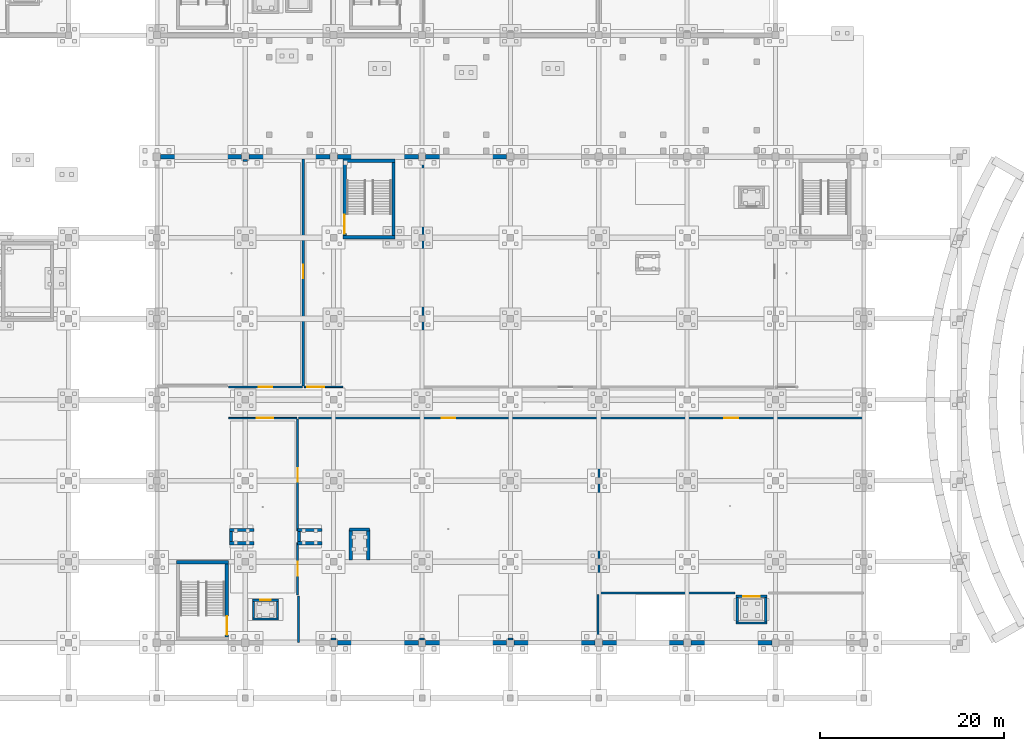
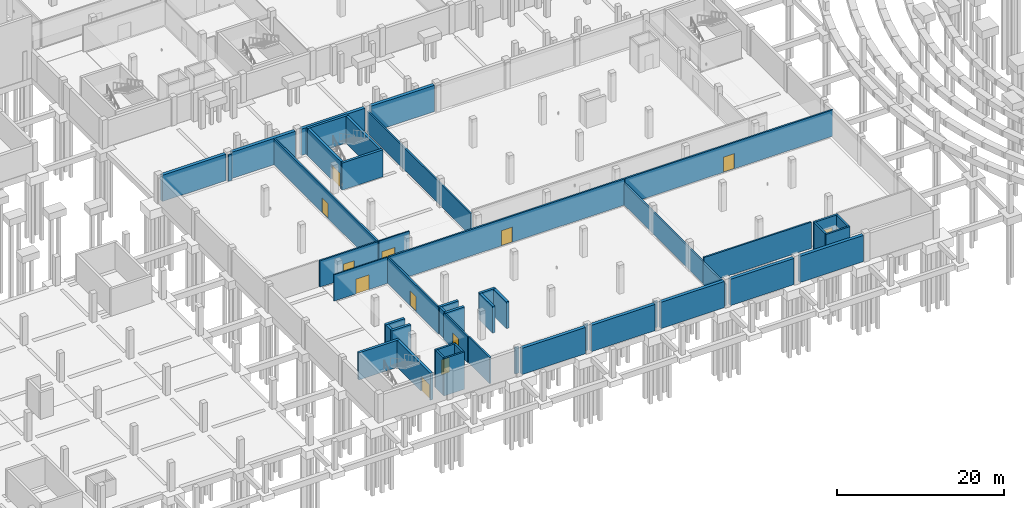
# One storey, part 13 of 31: 49 walls, 12 doors, 12 openings.
"""IFC4 building model written with IfcOpenShell, lengths in metres."""

from ifc_helpers import new_model, si_unit, direction, frame, frame_2d, origin, place, context, subcontext, project, spatial, rectangle, extrude, material, layer, layer_set, type_object, element, fill, save


model = new_model("IFC4")

# Units and contexts
model_context = context("Model", 3, precision=1e-05, world=origin(), true_north=direction((0.0, 1.0)))
body_context = subcontext(model_context, "Body", "Model", "MODEL_VIEW")
ifc_project = project(units=[si_unit("LENGTHUNIT", "METRE"), si_unit("AREAUNIT", "SQUARE_METRE"), si_unit("VOLUMEUNIT", "CUBIC_METRE"), si_unit("PLANEANGLEUNIT", "RADIAN"), si_unit("MASSUNIT", "GRAM", prefix="KILO")], contexts=[model_context])

# Site, building, storey
site_placement = place(None, origin())
site = spatial("IfcSite", under=ifc_project, at=site_placement, CompositionType="ELEMENT")
building_placement = place(site_placement, origin())
building = spatial("IfcBuilding", under=site, at=building_placement, Name="Chalmorin Arch Market", CompositionType="ELEMENT")
storey_placement = place(building_placement, frame((0.0, 0.0, -4.199951171875)))
storey = spatial("IfcBuildingStorey", under=building, at=storey_placement, Name="B1", CompositionType="ELEMENT", Elevation=-4.199951171875)

# Walls
ifc_material_1 = material(Name="Concrete C40/50", Category="concrete")
ifc_layer_1 = layer(ifc_material_1, 0.449951171875)
ifc_layer_set_1 = layer_set([ifc_layer_1], Name="Concrete C40/50")
wall_type_1 = type_object("IfcWallType", Name="BasementFloodwall-450", PredefinedType="SOLIDWALL", material=ifc_layer_set_1)
wall_1_placement = place(storey_placement, frame((67.60009765625, 6.0, 0.0), z_axis=(0.0, 0.0, 1.0), x_axis=(1.0, 0.0, 0.0)))
element("IfcWall", 1, at=wall_1_placement, inside=storey, type_object=wall_type_1, Name="BFW-450-003", PredefinedType="SOLIDWALL", context=body_context, shape_type="SweptSolid", body=[
    extrude(rectangle(XDim=8.7998046875, YDim=0.449951171875, at=frame_2d((4.39990234375, 0.0))), origin(), (0.0, 0.0, 1.0), 3.83984375),
])
for number, where, z_axis, x_axis, name in (
    (2, (77.199951171875, 6.0, 0.0), (0.0, 0.0, 1.0), (1.0, 0.0, 0.0), "BFW-450-004"),
    (3, (86.800048828125, 6.0, 0.0), (0.0, 0.0, 1.0), (1.0, 0.0, 0.0), "BFW-450-005"),
    (4, (96.39990234375, 6.0, 0.0), (0.0, 0.0, 1.0), (1.0, 0.0, 0.0), "BFW-450-006"),
    (5, (106.0, 6.0, 0.0), (0.0, 0.0, 1.0), (1.0, 0.0, 0.0), "BFW-450-007"),
    (6, (86.0, 58.800048828125, 0.0), (0.0, 0.0, 1.0), (-1.0, 0.0, 0.0), "BFW-450-019"),
):
    element("IfcWall", number, at=place(storey_placement, frame(where, z_axis=z_axis, x_axis=x_axis)), inside=storey, type_object=wall_type_1, Name=name, PredefinedType="SOLIDWALL", context=body_context, shape_type="SweptSolid", body=[
        extrude(rectangle(XDim=8.800048828125, YDim=0.449951171875, at=frame_2d((4.39990234375, 0.0))), origin(), (0.0, 0.0, 1.0), 3.83984375),
    ])
wall_2_placement = place(storey_placement, frame((76.39990234375, 58.800048828125, 0.0), z_axis=(0.0, 0.0, 1.0), x_axis=(-1.0, 0.0, 0.0)))
element("IfcWall", 7, at=wall_2_placement, inside=storey, type_object=wall_type_1, Name="BFW-450-020", PredefinedType="SOLIDWALL", context=body_context, shape_type="SweptSolid", body=[
    extrude(rectangle(XDim=8.7998046875, YDim=0.449951171875, at=frame_2d((4.39990234375, 0.0))), origin(), (0.0, 0.0, 1.0), 3.83984375),
])
for number, where, z_axis, x_axis, name in (
    (8, (66.800048828125, 58.800048828125, 0.0), (0.0, 0.0, 1.0), (-1.0, 0.0, 0.0), "BFW-450-021"),
    (9, (57.199951171875, 58.800048828125, 0.0), (0.0, 0.0, 1.0), (-1.0, 0.0, 0.0), "BFW-450-022"),
):
    element("IfcWall", number, at=place(storey_placement, frame(where, z_axis=z_axis, x_axis=x_axis)), inside=storey, type_object=wall_type_1, Name=name, PredefinedType="SOLIDWALL", context=body_context, shape_type="SweptSolid", body=[
        extrude(rectangle(XDim=8.800048828125, YDim=0.449951171875, at=frame_2d((4.39990234375, 0.0))), origin(), (0.0, 0.0, 1.0), 3.83984375),
    ])

# Wall, opening, door
ifc_material_2 = material(Name="Galvanised Steel", Category="steel")
ifc_layer_2 = layer(ifc_material_2, 0.219970703125)
ifc_layer_set_2 = layer_set([ifc_layer_2], Name="Galvanised Steel")
wall_type_2 = type_object("IfcWallType", Name="ColdStoreInsulatedWall-220", PredefinedType="PARTITIONING", material=ifc_layer_set_2)
wall_3_placement = place(storey_placement, frame((63.300048828125, 11.199951171875, 0.0), z_axis=(0.0, 0.0, 1.0), x_axis=(0.0, 1.0, 0.0)))
wall_3 = element("IfcWall", 10, at=wall_3_placement, inside=storey, type_object=wall_type_2, Name="CIW-220-348", PredefinedType="PARTITIONING", context=body_context, shape_type="SweptSolid", body=[
    extrude(rectangle(XDim=5.695068359375, YDim=0.219970703125, at=frame_2d((2.84765625, 0.0))), origin(), (0.0, 0.0, 1.0), 3.83984375),
])
opening_1_placement = place(wall_3_placement, frame((2.097900390625, 0.0, 0.0)))
opening_1 = element("IfcOpeningElement", 11, at=opening_1_placement, cuts=wall_3, Name="Opening ID-089", PredefinedType="OPENING", context=body_context, shape_type="SweptSolid", body=[
    extrude(rectangle(XDim=1.5, YDim=2.199951171875, at=frame_2d((0.75, 1.10009765625))), frame((0.0, 0.119873046875, 0.0), z_axis=(0.0, -1.0, 0.0), x_axis=(1.0, 0.0, 0.0)), (0.0, 0.0, 1.0), 0.239990234375),
])
ifc_material_3 = material(Name="Stainless Steel 316", Category="steel")
door_type_1 = type_object("IfcDoorType", Name="ColdStoreSlidingDoor-1500x2200", OperationType="SLIDING_TO_RIGHT", PredefinedType="DOOR", material=ifc_material_3)
door_1_placement = place(opening_1_placement, origin())
door_1 = element("IfcDoor", 12, at=door_1_placement, inside=storey, type_object=door_type_1, Name="ID-089", OperationType="SLIDING_TO_RIGHT", OverallHeight=2.199951171875, OverallWidth=1.5, PredefinedType="DOOR", context=body_context, shape_type="SweptSolid", body=[
    extrude(rectangle(XDim=1.5, YDim=2.199951171875, at=frame_2d((0.75, 1.10009765625))), frame((0.0, 0.02490234375, 0.0), z_axis=(0.0, -1.0, 0.0), x_axis=(1.0, 0.0, 0.0)), (0.0, 0.0, 1.0), 0.050048828125),
])
fill(opening_1, door_1)

wall_4_placement = place(storey_placement, frame((63.300048828125, 18.155029296875, 0.0), z_axis=(0.0, 0.0, 1.0), x_axis=(0.0, 1.0, 0.0)))
wall_4 = element("IfcWall", 13, at=wall_4_placement, inside=storey, type_object=wall_type_2, Name="CIW-220-349", PredefinedType="PARTITIONING", context=body_context, shape_type="SweptSolid", body=[
    extrude(rectangle(XDim=12.14501953125, YDim=0.219970703125, at=frame_2d((6.072509765625, 0.0))), origin(), (0.0, 0.0, 1.0), 3.83984375),
])
opening_2_placement = place(wall_4_placement, frame((5.322998046875, 0.0, 0.0)))
opening_2 = element("IfcOpeningElement", 14, at=opening_2_placement, cuts=wall_4, Name="Opening ID-090", PredefinedType="OPENING", context=body_context, shape_type="SweptSolid", body=[
    extrude(rectangle(XDim=1.5, YDim=2.199951171875, at=frame_2d((0.75, 1.10009765625))), frame((0.0, 0.119873046875, 0.0), z_axis=(0.0, -1.0, 0.0), x_axis=(1.0, 0.0, 0.0)), (0.0, 0.0, 1.0), 0.239990234375),
])
door_2_placement = place(opening_2_placement, origin())
door_2 = element("IfcDoor", 15, at=door_2_placement, inside=storey, type_object=door_type_1, Name="ID-090", OperationType="SLIDING_TO_RIGHT", OverallHeight=2.199951171875, OverallWidth=1.5, PredefinedType="DOOR", context=body_context, shape_type="SweptSolid", body=[
    extrude(rectangle(XDim=1.5, YDim=2.199951171875, at=frame_2d((0.75, 1.10009765625))), frame((0.0, 0.02490234375, 0.0), z_axis=(0.0, -1.0, 0.0), x_axis=(1.0, 0.0, 0.0)), (0.0, 0.0, 1.0), 0.050048828125),
])
fill(opening_2, door_2)

# Wall
wall_5_placement = place(storey_placement, frame((96.0, 11.39990234375, 0.0), z_axis=(0.0, 0.0, 1.0), x_axis=(0.0, 1.0, 0.0)))
element("IfcWall", 16, at=wall_5_placement, inside=storey, type_object=wall_type_2, Name="CIW-220-351", PredefinedType="PARTITIONING", context=body_context, shape_type="SweptSolid", body=[
    extrude(rectangle(XDim=18.900146484375, YDim=0.219970703125, at=frame_2d((9.4501953125, 0.0))), origin(), (0.0, 0.0, 1.0), 3.198974609375),
])

# Wall, opening, door
wall_6_placement = place(storey_placement, frame((63.39990234375, 30.39990234375, 0.0), z_axis=(0.0, 0.0, 1.0), x_axis=(1.0, 0.0, 0.0)))
wall_6 = element("IfcWall", 17, at=wall_6_placement, inside=storey, type_object=wall_type_2, Name="CIW-220-352", PredefinedType="PARTITIONING", context=body_context, shape_type="SweptSolid", body=[
    extrude(rectangle(XDim=32.550048828125, YDim=0.219970703125, at=frame_2d((16.27490234375, 0.0))), origin(), (0.0, 0.0, 1.0), 3.83984375),
])
opening_3_placement = place(wall_6_placement, frame((15.52490234375, 0.0, 0.0)))
opening_3 = element("IfcOpeningElement", 18, at=opening_3_placement, cuts=wall_6, Name="Opening ID-092", PredefinedType="OPENING", context=body_context, shape_type="SweptSolid", body=[
    extrude(rectangle(XDim=1.5, YDim=2.199951171875, at=frame_2d((0.75, 1.10009765625))), frame((0.0, 0.119873046875, 0.0), z_axis=(0.0, -1.0, 0.0), x_axis=(1.0, 0.0, 0.0)), (0.0, 0.0, 1.0), 0.239990234375),
])
door_3_placement = place(opening_3_placement, origin())
door_3 = element("IfcDoor", 19, at=door_3_placement, inside=storey, type_object=door_type_1, Name="ID-092", OperationType="SLIDING_TO_RIGHT", OverallHeight=2.199951171875, OverallWidth=1.5, PredefinedType="DOOR", context=body_context, shape_type="SweptSolid", body=[
    extrude(rectangle(XDim=1.5, YDim=2.199951171875, at=frame_2d((0.75, 1.10009765625))), frame((0.0, 0.02490234375, 0.0), z_axis=(0.0, -1.0, 0.0), x_axis=(1.0, 0.0, 0.0)), (0.0, 0.0, 1.0), 0.050048828125),
])
fill(opening_3, door_3)

wall_7_placement = place(storey_placement, frame((96.030029296875, 30.39990234375, 0.0), z_axis=(0.0, 0.0, 1.0), x_axis=(1.0, 0.0, 0.0)))
wall_7 = element("IfcWall", 20, at=wall_7_placement, inside=storey, type_object=wall_type_2, Name="CIW-220-353", PredefinedType="PARTITIONING", context=body_context, shape_type="SweptSolid", body=[
    extrude(rectangle(XDim=28.719970703125, YDim=0.219970703125, at=frame_2d((14.35986328125, 0.0))), origin(), (0.0, 0.0, 1.0), 3.83984375),
])
opening_4_placement = place(wall_7_placement, frame((13.610107421875, 0.0, 0.0)))
opening_4 = element("IfcOpeningElement", 21, at=opening_4_placement, cuts=wall_7, Name="Opening ID-093", PredefinedType="OPENING", context=body_context, shape_type="SweptSolid", body=[
    extrude(rectangle(XDim=1.5, YDim=2.199951171875, at=frame_2d((0.75, 1.10009765625))), frame((0.0, 0.119873046875, 0.0), z_axis=(0.0, -1.0, 0.0), x_axis=(1.0, 0.0, 0.0)), (0.0, 0.0, 1.0), 0.239990234375),
])
door_4_placement = place(opening_4_placement, origin())
door_4 = element("IfcDoor", 22, at=door_4_placement, inside=storey, type_object=door_type_1, Name="ID-093", OperationType="SLIDING_TO_RIGHT", OverallHeight=2.199951171875, OverallWidth=1.5, PredefinedType="DOOR", context=body_context, shape_type="SweptSolid", body=[
    extrude(rectangle(XDim=1.5, YDim=2.199951171875, at=frame_2d((0.75, 1.10009765625))), frame((0.0, 0.02490234375, 0.0), z_axis=(0.0, -1.0, 0.0), x_axis=(1.0, 0.0, 0.0)), (0.0, 0.0, 1.0), 0.050048828125),
])
fill(opening_4, door_4)

wall_8_placement = place(storey_placement, frame((55.800048828125, 33.800048828125, 0.0), z_axis=(0.0, 0.0, 1.0), x_axis=(1.0, 0.0, 0.0)))
wall_8 = element("IfcWall", 23, at=wall_8_placement, inside=storey, type_object=wall_type_2, Name="CIW-220-356", PredefinedType="PARTITIONING", context=body_context, shape_type="SweptSolid", body=[
    extrude(rectangle(XDim=8.0, YDim=0.219970703125, at=frame_2d((4.0, 0.0))), origin(), (0.0, 0.0, 1.0), 3.83984375),
])
opening_5_placement = place(wall_8_placement, frame((3.25, 0.0, 0.0)))
opening_5 = element("IfcOpeningElement", 24, at=opening_5_placement, cuts=wall_8, Name="Opening ID-096", PredefinedType="OPENING", context=body_context, shape_type="SweptSolid", body=[
    extrude(rectangle(XDim=1.5, YDim=2.199951171875, at=frame_2d((0.75, 1.10009765625))), frame((0.0, 0.119873046875, 0.0), z_axis=(0.0, -1.0, 0.0), x_axis=(1.0, 0.0, 0.0)), (0.0, 0.0, 1.0), 0.239990234375),
])
door_5_placement = place(opening_5_placement, origin())
door_5 = element("IfcDoor", 25, at=door_5_placement, inside=storey, type_object=door_type_1, Name="ID-096", OperationType="SLIDING_TO_RIGHT", OverallHeight=2.199951171875, OverallWidth=1.5, PredefinedType="DOOR", context=body_context, shape_type="SweptSolid", body=[
    extrude(rectangle(XDim=1.5, YDim=2.199951171875, at=frame_2d((0.75, 1.10009765625))), frame((0.0, 0.02490234375, 0.0), z_axis=(0.0, -1.0, 0.0), x_axis=(1.0, 0.0, 0.0)), (0.0, 0.0, 1.0), 0.050048828125),
])
fill(opening_5, door_5)

wall_9_placement = place(storey_placement, frame((63.89990234375, 33.89990234375, 0.0), z_axis=(0.0, 0.0, 1.0), x_axis=(0.0, 1.0, 0.0)))
wall_9 = element("IfcWall", 26, at=wall_9_placement, inside=storey, type_object=wall_type_2, Name="CIW-220-359", PredefinedType="PARTITIONING", context=body_context, shape_type="SweptSolid", body=[
    extrude(rectangle(XDim=24.85009765625, YDim=0.219970703125, at=frame_2d((12.425048828125, 0.0))), origin(), (0.0, 0.0, 1.0), 3.83984375),
])
opening_6_placement = place(wall_9_placement, frame((11.675048828125, 0.0, 0.0)))
opening_6 = element("IfcOpeningElement", 27, at=opening_6_placement, cuts=wall_9, Name="Opening ID-099", PredefinedType="OPENING", context=body_context, shape_type="SweptSolid", body=[
    extrude(rectangle(XDim=1.5, YDim=2.199951171875, at=frame_2d((0.75, 1.10009765625))), frame((0.0, 0.119873046875, 0.0), z_axis=(0.0, -1.0, 0.0), x_axis=(1.0, 0.0, 0.0)), (0.0, 0.0, 1.0), 0.239990234375),
])
door_6_placement = place(opening_6_placement, origin())
door_6 = element("IfcDoor", 28, at=door_6_placement, inside=storey, type_object=door_type_1, Name="ID-099", OperationType="SLIDING_TO_RIGHT", OverallHeight=2.199951171875, OverallWidth=1.5, PredefinedType="DOOR", context=body_context, shape_type="SweptSolid", body=[
    extrude(rectangle(XDim=1.5, YDim=2.199951171875, at=frame_2d((0.75, 1.10009765625))), frame((0.0, 0.02490234375, 0.0), z_axis=(0.0, -1.0, 0.0), x_axis=(1.0, 0.0, 0.0)), (0.0, 0.0, 1.0), 0.050048828125),
])
fill(opening_6, door_6)

# Walls
for number, where, z_axis, x_axis, name in (
    (29, (66.93994140625, 6.39990234375, 0.0), (0.0, 0.0, 1.0), (1.0, 0.0, 0.0), "CIW-220-376"),
    (30, (76.5400390625, 6.39990234375, 0.0), (0.0, 0.0, 1.0), (1.0, 0.0, 0.0), "CIW-220-377"),
    (31, (86.139892578125, 6.39990234375, 0.0), (0.0, 0.0, 1.0), (1.0, 0.0, 0.0), "CIW-220-378"),
):
    element("IfcWall", number, at=place(storey_placement, frame(where, z_axis=z_axis, x_axis=x_axis)), inside=storey, type_object=wall_type_2, Name=name, PredefinedType="PARTITIONING", context=body_context, shape_type="SweptSolid", body=[
        extrude(rectangle(XDim=0.52001953125, YDim=0.219970703125, at=frame_2d((0.260009765625, 0.0))), origin(), (0.0, 0.0, 1.0), 3.83984375),
    ])
wall_10_placement = place(storey_placement, frame((63.39990234375, 6.050048828125, 0.0), z_axis=(0.0, 0.0, 1.0), x_axis=(0.0, 1.0, 0.0)))
element("IfcWall", 32, at=wall_10_placement, inside=storey, type_object=wall_type_2, Name="CIW-220-379", PredefinedType="PARTITIONING", context=body_context, shape_type="SweptSolid", body=[
    extrude(rectangle(XDim=5.010009765625, YDim=0.219970703125, at=frame_2d((2.5048828125, 0.0))), origin(), (0.0, 0.0, 1.0), 3.83984375),
])
wall_11_placement = place(storey_placement, frame((95.89990234375, 6.050048828125, 0.0), z_axis=(0.0, 0.0, 1.0), x_axis=(0.0, 1.0, 0.0)))
element("IfcWall", 33, at=wall_11_placement, inside=storey, type_object=wall_type_2, Name="CIW-220-380", PredefinedType="PARTITIONING", context=body_context, shape_type="SweptSolid", body=[
    extrude(rectangle(XDim=5.2099609375, YDim=0.219970703125, at=frame_2d((2.60498046875, 0.0))), origin(), (0.0, 0.0, 1.0), 3.198974609375),
])
wall_12_placement = place(storey_placement, frame((95.949951171875, 11.39990234375, 0.0), z_axis=(0.0, 0.0, 1.0), x_axis=(1.0, 0.0, 0.0)))
element("IfcWall", 34, at=wall_12_placement, inside=storey, type_object=wall_type_2, Name="CIW-220-381", PredefinedType="PARTITIONING", context=body_context, shape_type="SweptSolid", body=[
    extrude(rectangle(XDim=14.8349609375, YDim=0.219970703125, at=frame_2d((7.41748046875, 0.0))), origin(), (0.0, 0.0, 1.0), 3.83984375),
])
wall_13_placement = place(storey_placement, frame((57.340087890625, 58.39990234375, 0.0), z_axis=(0.0, 0.0, 1.0), x_axis=(1.0, 0.0, 0.0)))
element("IfcWall", 35, at=wall_13_placement, inside=storey, type_object=wall_type_2, Name="CIW-220-384", PredefinedType="PARTITIONING", context=body_context, shape_type="SweptSolid", body=[
    extrude(rectangle(XDim=0.52001953125, YDim=0.219970703125, at=frame_2d((0.260009765625, 0.0))), origin(), (0.0, 0.0, 1.0), 3.83984375),
])
wall_14_placement = place(storey_placement, frame((76.89990234375, 34.0400390625, 0.0), z_axis=(0.0, 0.0, 1.0), x_axis=(0.0, 1.0, 0.0)))
element("IfcWall", 36, at=wall_14_placement, inside=storey, type_object=wall_type_2, Name="CIW-220-388", PredefinedType="PARTITIONING", context=body_context, shape_type="SweptSolid", body=[
    extrude(rectangle(XDim=24.7099609375, YDim=0.219970703125, at=frame_2d((12.35498046875, 0.0))), origin(), (0.0, 0.0, 1.0), 3.198974609375),
])
ifc_layer_3 = layer(ifc_material_1, 0.35009765625)
ifc_layer_set_3 = layer_set([ifc_layer_3], Name="Concrete C40/50")
wall_type_3 = type_object("IfcWallType", Name="CoreShearWall-350", PredefinedType="SHEAR", material=ifc_layer_set_3)
wall_15_placement = place(storey_placement, frame((50.125, 14.75, 0.0), z_axis=(0.0, 0.0, 1.0), x_axis=(1.0, 0.0, 0.0)))
element("IfcWall", 37, at=wall_15_placement, inside=storey, type_object=wall_type_3, Name="CSW-350-034", PredefinedType="SHEAR", context=body_context, shape_type="SweptSolid", body=[
    extrude(rectangle(XDim=5.64990234375, YDim=0.35009765625, at=frame_2d((2.824951171875, 0.0))), origin(), (0.0, 0.0, 1.0), 3.949951171875),
])

# Wall, opening, door
wall_16_placement = place(storey_placement, frame((55.60009765625, 14.574951171875, 0.0), z_axis=(0.0, 0.0, 1.0), x_axis=(0.0, -1.0, 0.0)))
wall_16 = element("IfcWall", 38, at=wall_16_placement, inside=storey, type_object=wall_type_3, Name="CSW-350-036", PredefinedType="SHEAR", context=body_context, shape_type="SweptSolid", body=[
    extrude(rectangle(XDim=7.949951171875, YDim=0.35009765625, at=frame_2d((3.97509765625, 0.0))), origin(), (0.0, 0.0, 1.0), 3.949951171875),
])
opening_7_placement = place(wall_16_placement, frame((5.679931640625, 0.0, 0.0)))
opening_7 = element("IfcOpeningElement", 39, at=opening_7_placement, cuts=wall_16, Name="Opening FD-SC3-B1", PredefinedType="OPENING", context=body_context, shape_type="SweptSolid", body=[
    extrude(rectangle(XDim=2.050048828125, YDim=2.14990234375, at=frame_2d((1.02490234375, 1.074951171875))), frame((0.0, 0.18505859375, 0.0), z_axis=(0.0, -1.0, 0.0), x_axis=(1.0, 0.0, 0.0)), (0.0, 0.0, 1.0), 0.3701171875),
])
door_type_2 = type_object("IfcDoorType", Name="DoubleFireExitDoor-2050x2150", OperationType="DOUBLE_DOOR_SINGLE_SWING", PredefinedType="DOOR", material=ifc_material_2)
door_7_placement = place(opening_7_placement, origin())
door_7 = element("IfcDoor", 40, at=door_7_placement, inside=storey, type_object=door_type_2, Name="FD-SC3-B1", OperationType="DOUBLE_DOOR_SINGLE_SWING", OverallHeight=2.14990234375, OverallWidth=2.050048828125, PredefinedType="DOOR", context=body_context, shape_type="SweptSolid", body=[
    extrude(rectangle(XDim=2.050048828125, YDim=2.14990234375, at=frame_2d((1.02490234375, 1.074951171875))), frame((0.0, 0.02490234375, 0.0), z_axis=(0.0, -1.0, 0.0), x_axis=(1.0, 0.0, 0.0)), (0.0, 0.0, 1.0), 0.050048828125),
])
fill(opening_7, door_7)

# Walls
for number, where, z_axis, x_axis, name in (
    (41, (73.875, 50.050048828125, 0.0), (0.0, 0.0, 1.0), (-1.0, 0.0, 0.0), "CSW-350-125"),
    (42, (68.22509765625, 58.35009765625, 0.0), (0.0, 0.0, 1.0), (1.0, 0.0, 0.0), "CSW-350-126"),
):
    element("IfcWall", number, at=place(storey_placement, frame(where, z_axis=z_axis, x_axis=x_axis)), inside=storey, type_object=wall_type_3, Name=name, PredefinedType="SHEAR", context=body_context, shape_type="SweptSolid", body=[
        extrude(rectangle(XDim=5.64990234375, YDim=0.35009765625, at=frame_2d((2.824951171875, 0.0))), origin(), (0.0, 0.0, 1.0), 3.949951171875),
    ])

# Wall, opening, door
wall_17_placement = place(storey_placement, frame((68.39990234375, 50.22509765625, 0.0), z_axis=(0.0, 0.0, 1.0), x_axis=(0.0, 1.0, 0.0)))
wall_17 = element("IfcWall", 43, at=wall_17_placement, inside=storey, type_object=wall_type_3, Name="CSW-350-127", PredefinedType="SHEAR", context=body_context, shape_type="SweptSolid", body=[
    extrude(rectangle(XDim=7.949951171875, YDim=0.35009765625, at=frame_2d((3.97509765625, 0.0))), origin(), (0.0, 0.0, 1.0), 3.949951171875),
])
opening_8_placement = place(wall_17_placement, frame((0.219970703125, 0.0, 0.0)))
opening_8 = element("IfcOpeningElement", 44, at=opening_8_placement, cuts=wall_17, Name="Opening FD-SC8-B1", PredefinedType="OPENING", context=body_context, shape_type="SweptSolid", body=[
    extrude(rectangle(XDim=2.050048828125, YDim=2.14990234375, at=frame_2d((1.02490234375, 1.074951171875))), frame((0.0, 0.18505859375, 0.0), z_axis=(0.0, -1.0, 0.0), x_axis=(1.0, 0.0, 0.0)), (0.0, 0.0, 1.0), 0.3701171875),
])
door_8_placement = place(opening_8_placement, origin())
door_8 = element("IfcDoor", 45, at=door_8_placement, inside=storey, type_object=door_type_2, Name="FD-SC8-B1", OperationType="DOUBLE_DOOR_SINGLE_SWING", OverallHeight=2.14990234375, OverallWidth=2.050048828125, PredefinedType="DOOR", context=body_context, shape_type="SweptSolid", body=[
    extrude(rectangle(XDim=2.050048828125, YDim=2.14990234375, at=frame_2d((1.02490234375, 1.074951171875))), frame((0.0, 0.02490234375, 0.0), z_axis=(0.0, -1.0, 0.0), x_axis=(1.0, 0.0, 0.0)), (0.0, 0.0, 1.0), 0.050048828125),
])
fill(opening_8, door_8)

# Walls
wall_18_placement = place(storey_placement, frame((73.699951171875, 58.175048828125, 0.0), z_axis=(0.0, 0.0, 1.0), x_axis=(0.0, -1.0, 0.0)))
element("IfcWall", 46, at=wall_18_placement, inside=storey, type_object=wall_type_3, Name="CSW-350-128", PredefinedType="SHEAR", context=body_context, shape_type="SweptSolid", body=[
    extrude(rectangle(XDim=7.949951171875, YDim=0.35009765625, at=frame_2d((3.97509765625, 0.0))), origin(), (0.0, 0.0, 1.0), 3.949951171875),
])
for number, where, z_axis, x_axis, name in (
    (47, (55.875, 16.800048828125, 0.0), (0.0, 0.0, 1.0), (1.0, 0.0, 0.0), "CSW-350-141"),
    (48, (55.875, 18.25, 0.0), (0.0, 0.0, 1.0), (1.0, 0.0, 0.0), "CSW-350-142"),
):
    element("IfcWall", number, at=place(storey_placement, frame(where, z_axis=z_axis, x_axis=x_axis)), inside=storey, type_object=wall_type_3, Name=name, PredefinedType="SHEAR", context=body_context, shape_type="SweptSolid", body=[
        extrude(rectangle(XDim=2.669921875, YDim=0.35009765625, at=frame_2d((1.3349609375, 0.0))), origin(), (0.0, 0.0, 1.0), 3.919921875),
    ])
wall_19_placement = place(storey_placement, frame((56.050048828125, 16.97509765625, 0.0), z_axis=(0.0, 0.0, 1.0), x_axis=(0.0, 1.0, 0.0)))
element("IfcWall", 49, at=wall_19_placement, inside=storey, type_object=wall_type_3, Name="CSW-350-143", PredefinedType="SHEAR", context=body_context, shape_type="SweptSolid", body=[
    extrude(rectangle(XDim=1.099853515625, YDim=0.35009765625, at=frame_2d((0.5498046875, 0.0))), origin(), (0.0, 0.0, 1.0), 3.919921875),
])
for number, where, z_axis, x_axis, name in (
    (50, (63.27490234375, 16.800048828125, 0.0), (0.0, 0.0, 1.0), (1.0, 0.0, 0.0), "CSW-350-153"),
    (51, (63.27490234375, 18.25, 0.0), (0.0, 0.0, 1.0), (1.0, 0.0, 0.0), "CSW-350-154"),
):
    element("IfcWall", number, at=place(storey_placement, frame(where, z_axis=z_axis, x_axis=x_axis)), inside=storey, type_object=wall_type_3, Name=name, PredefinedType="SHEAR", context=body_context, shape_type="SweptSolid", body=[
        extrude(rectangle(XDim=2.670166015625, YDim=0.35009765625, at=frame_2d((1.3349609375, 0.0))), origin(), (0.0, 0.0, 1.0), 3.919921875),
    ])
wall_20_placement = place(storey_placement, frame((63.449951171875, 16.97509765625, 0.0), z_axis=(0.0, 0.0, 1.0), x_axis=(0.0, 1.0, 0.0)))
element("IfcWall", 52, at=wall_20_placement, inside=storey, type_object=wall_type_3, Name="CSW-350-155", PredefinedType="SHEAR", context=body_context, shape_type="SweptSolid", body=[
    extrude(rectangle(XDim=1.099853515625, YDim=0.35009765625, at=frame_2d((0.5498046875, 0.0))), origin(), (0.0, 0.0, 1.0), 3.919921875),
])
wall_21_placement = place(storey_placement, frame((68.89990234375, 18.300048828125, 0.0), z_axis=(0.0, 0.0, 1.0), x_axis=(1.0, 0.0, 0.0)))
element("IfcWall", 53, at=wall_21_placement, inside=storey, type_object=wall_type_3, Name="CSW-350-162", PredefinedType="SHEAR", context=body_context, shape_type="SweptSolid", body=[
    extrude(rectangle(XDim=2.2001953125, YDim=0.35009765625, at=frame_2d((1.10009765625, 0.0))), origin(), (0.0, 0.0, 1.0), 3.919921875),
])
for number, where, z_axis, x_axis, name in (
    (54, (69.050048828125, 15.0, 0.0), (0.0, 0.0, 1.0), (0.0, 1.0, 0.0), "CSW-350-163"),
    (55, (70.949951171875, 15.0, 0.0), (0.0, 0.0, 1.0), (0.0, 1.0, 0.0), "CSW-350-164"),
):
    element("IfcWall", number, at=place(storey_placement, frame(where, z_axis=z_axis, x_axis=x_axis)), inside=storey, type_object=wall_type_3, Name=name, PredefinedType="SHEAR", context=body_context, shape_type="SweptSolid", body=[
        extrude(rectangle(XDim=3.300048828125, YDim=0.35009765625, at=frame_2d((1.64990234375, 0.0))), origin(), (0.0, 0.0, 1.0), 3.919921875),
    ])

# Wall, opening, door
ifc_material_4 = material(Name="Gypsum Board Partition")
ifc_layer_4 = layer(ifc_material_4, 0.159912109375)
ifc_layer_set_4 = layer_set([ifc_layer_4], Name="Gypsum Board Partition")
wall_type_4 = type_object("IfcWallType", Name="CorridorRatedPartition-160", PredefinedType="PARTITIONING", material=ifc_layer_set_4)
wall_22_placement = place(storey_placement, frame((55.800048828125, 30.39990234375, 0.0), z_axis=(0.0, 0.0, 1.0), x_axis=(1.0, 0.0, 0.0)))
wall_22 = element("IfcWall", 56, at=wall_22_placement, inside=storey, type_object=wall_type_4, Name="CRP-160-350", PredefinedType="PARTITIONING", context=body_context, shape_type="SweptSolid", body=[
    extrude(rectangle(XDim=7.39990234375, YDim=0.159912109375, at=frame_2d((3.699951171875, 0.0))), origin(), (0.0, 0.0, 1.0), 3.83984375),
])
opening_9_placement = place(wall_22_placement, frame((3.0439453125, 0.0, 0.0)))
opening_9 = element("IfcOpeningElement", 57, at=opening_9_placement, cuts=wall_22, Name="Opening ID-091", PredefinedType="OPENING", context=body_context, shape_type="SweptSolid", body=[
    extrude(rectangle(XDim=1.800048828125, YDim=2.14990234375, at=frame_2d((0.89990234375, 1.074951171875))), frame((0.0, 0.08984375, 0.0), z_axis=(0.0, -1.0, 0.0), x_axis=(1.0, 0.0, 0.0)), (0.0, 0.0, 1.0), 0.179931640625),
])
door_type_3 = type_object("IfcDoorType", Name="CorridorFireDoubleDoor-1800x2150", OperationType="DOUBLE_DOOR_SINGLE_SWING", PredefinedType="DOOR", material=ifc_material_2)
door_9_placement = place(opening_9_placement, origin())
door_9 = element("IfcDoor", 58, at=door_9_placement, inside=storey, type_object=door_type_3, Name="ID-091", OperationType="DOUBLE_DOOR_SINGLE_SWING", OverallHeight=2.14990234375, OverallWidth=1.800048828125, PredefinedType="DOOR", context=body_context, shape_type="SweptSolid", body=[
    extrude(rectangle(XDim=1.800048828125, YDim=2.14990234375, at=frame_2d((0.89990234375, 1.074951171875))), frame((0.0, 0.02490234375, 0.0), z_axis=(0.0, -1.0, 0.0), x_axis=(1.0, 0.0, 0.0)), (0.0, 0.0, 1.0), 0.050048828125),
])
fill(opening_9, door_9)

wall_23_placement = place(storey_placement, frame((64.0, 33.800048828125, 0.0), z_axis=(0.0, 0.0, 1.0), x_axis=(1.0, 0.0, 0.0)))
wall_23 = element("IfcWall", 59, at=wall_23_placement, inside=storey, type_object=wall_type_4, Name="CRP-160-355", PredefinedType="PARTITIONING", context=body_context, shape_type="SweptSolid", body=[
    extrude(rectangle(XDim=4.199951171875, YDim=0.159912109375, at=frame_2d((2.10009765625, 0.0))), origin(), (0.0, 0.0, 1.0), 3.83984375),
])
opening_10_placement = place(wall_23_placement, frame((0.360107421875, 0.0, 0.0)))
opening_10 = element("IfcOpeningElement", 60, at=opening_10_placement, cuts=wall_23, Name="Opening ID-095", PredefinedType="OPENING", context=body_context, shape_type="SweptSolid", body=[
    extrude(rectangle(XDim=1.800048828125, YDim=2.14990234375, at=frame_2d((0.89990234375, 1.074951171875))), frame((0.0, 0.08984375, 0.0), z_axis=(0.0, -1.0, 0.0), x_axis=(1.0, 0.0, 0.0)), (0.0, 0.0, 1.0), 0.179931640625),
])
door_10_placement = place(opening_10_placement, origin())
door_10 = element("IfcDoor", 61, at=door_10_placement, inside=storey, type_object=door_type_3, Name="ID-095", OperationType="DOUBLE_DOOR_SINGLE_SWING", OverallHeight=2.14990234375, OverallWidth=1.800048828125, PredefinedType="DOOR", context=body_context, shape_type="SweptSolid", body=[
    extrude(rectangle(XDim=1.800048828125, YDim=2.14990234375, at=frame_2d((0.89990234375, 1.074951171875))), frame((0.0, 0.02490234375, 0.0), z_axis=(0.0, -1.0, 0.0), x_axis=(1.0, 0.0, 0.0)), (0.0, 0.0, 1.0), 0.050048828125),
])
fill(opening_10, door_10)

# Wall
ifc_material_5 = material(Name="Concrete C35/45", Category="concrete")
ifc_layer_5 = layer(ifc_material_5, 0.25)
ifc_layer_set_5 = layer_set([ifc_layer_5], Name="Concrete C35/45")
wall_type_5 = type_object("IfcWallType", Name="ShaftEnclosureWall-250", PredefinedType="SOLIDWALL", material=ifc_layer_set_5)
wall_24_placement = place(storey_placement, frame((61.22509765625, 8.574951171875, -1.5), z_axis=(0.0, 0.0, 1.0), x_axis=(-1.0, 0.0, 0.0)))
element("IfcWall", 62, at=wall_24_placement, inside=storey, type_object=wall_type_5, Name="SEW-250-230", PredefinedType="SOLIDWALL", context=body_context, shape_type="SweptSolid", body=[
    extrude(rectangle(XDim=2.85009765625, YDim=0.25, at=frame_2d((1.425048828125, 0.0))), origin(), (0.0, 0.0, 1.0), 5.449951171875),
])

# Wall, opening, door
wall_25_placement = place(storey_placement, frame((58.375, 10.625, -1.5), z_axis=(0.0, 0.0, 1.0), x_axis=(1.0, 0.0, 0.0)))
wall_25 = element("IfcWall", 63, at=wall_25_placement, inside=storey, type_object=wall_type_5, Name="SEW-250-231", PredefinedType="SOLIDWALL", context=body_context, shape_type="SweptSolid", body=[
    extrude(rectangle(XDim=2.85009765625, YDim=0.25, at=frame_2d((1.425048828125, 0.0))), origin(), (0.0, 0.0, 1.0), 5.449951171875),
])
opening_11_placement = place(wall_25_placement, frame((0.875, 0.0, 1.5)))
opening_11 = element("IfcOpeningElement", 64, at=opening_11_placement, cuts=wall_25, Name="Opening LD-LF-P2-B1", PredefinedType="OPENING", context=body_context, shape_type="SweptSolid", body=[
    extrude(rectangle(XDim=1.10009765625, YDim=2.14990234375, at=frame_2d((0.550048828125, 1.074951171875))), frame((0.0, 0.135009765625, 0.0), z_axis=(0.0, -1.0, 0.0), x_axis=(1.0, 0.0, 0.0)), (0.0, 0.0, 1.0), 0.27001953125),
])
door_type_4 = type_object("IfcDoorType", Name="LiftLandingSlidingDoor-1100x2150", OperationType="DOUBLE_DOOR_SLIDING", PredefinedType="DOOR", material=ifc_material_3)
door_11_placement = place(opening_11_placement, origin())
door_11 = element("IfcDoor", 65, at=door_11_placement, inside=storey, type_object=door_type_4, Name="LD-LF-P2-B1", OperationType="DOUBLE_DOOR_SLIDING", OverallHeight=2.14990234375, OverallWidth=1.10009765625, PredefinedType="DOOR", context=body_context, shape_type="SweptSolid", body=[
    extrude(rectangle(XDim=1.10009765625, YDim=2.14990234375, at=frame_2d((0.550048828125, 1.074951171875))), frame((0.0, 0.02490234375, 0.0), z_axis=(0.0, -1.0, 0.0), x_axis=(1.0, 0.0, 0.0)), (0.0, 0.0, 1.0), 0.050048828125),
])
fill(opening_11, door_11)

# Walls
for number, where, z_axis, x_axis, name in (
    (66, (58.5, 8.699951171875, -1.5), (0.0, 0.0, 1.0), (0.0, 1.0, 0.0), "SEW-250-232"),
    (67, (61.10009765625, 10.5, -1.5), (0.0, 0.0, 1.0), (0.0, -1.0, 0.0), "SEW-250-233"),
):
    element("IfcWall", number, at=place(storey_placement, frame(where, z_axis=z_axis, x_axis=x_axis)), inside=storey, type_object=wall_type_5, Name=name, PredefinedType="SOLIDWALL", context=body_context, shape_type="SweptSolid", body=[
        extrude(rectangle(XDim=1.800048828125, YDim=0.25, at=frame_2d((0.89990234375, 0.0))), origin(), (0.0, 0.0, 1.0), 5.449951171875),
    ])
wall_26_placement = place(storey_placement, frame((114.27490234375, 8.14990234375, -1.5), z_axis=(0.0, 0.0, 1.0), x_axis=(-1.0, 0.0, 0.0)))
element("IfcWall", 68, at=wall_26_placement, inside=storey, type_object=wall_type_5, Name="SEW-250-298", PredefinedType="SOLIDWALL", context=body_context, shape_type="SweptSolid", body=[
    extrude(rectangle(XDim=3.349853515625, YDim=0.25, at=frame_2d((1.6748046875, 0.0))), origin(), (0.0, 0.0, 1.0), 5.449951171875),
])

# Wall, opening, door
wall_27_placement = place(storey_placement, frame((110.925048828125, 11.050048828125, -1.5), z_axis=(0.0, 0.0, 1.0), x_axis=(1.0, 0.0, 0.0)))
wall_27 = element("IfcWall", 69, at=wall_27_placement, inside=storey, type_object=wall_type_5, Name="SEW-250-299", PredefinedType="SOLIDWALL", context=body_context, shape_type="SweptSolid", body=[
    extrude(rectangle(XDim=3.349853515625, YDim=0.25, at=frame_2d((1.6748046875, 0.0))), origin(), (0.0, 0.0, 1.0), 5.449951171875),
])
opening_12_placement = place(wall_27_placement, frame((0.77490234375, 0.0, 1.5)))
opening_12 = element("IfcOpeningElement", 70, at=opening_12_placement, cuts=wall_27, Name="Opening LD-LF-FR2-B1", PredefinedType="OPENING", context=body_context, shape_type="SweptSolid", body=[
    extrude(rectangle(XDim=1.800048828125, YDim=2.300048828125, at=frame_2d((0.89990234375, 1.14990234375))), frame((0.0, 0.135009765625, 0.0), z_axis=(0.0, -1.0, 0.0), x_axis=(1.0, 0.0, 0.0)), (0.0, 0.0, 1.0), 0.27001953125),
])
door_type_5 = type_object("IfcDoorType", Name="FreightLiftLandingDoor-1800x2300", OperationType="DOUBLE_DOOR_SLIDING", PredefinedType="DOOR", material=ifc_material_3)
door_12_placement = place(opening_12_placement, origin())
door_12 = element("IfcDoor", 71, at=door_12_placement, inside=storey, type_object=door_type_5, Name="LD-LF-FR2-B1", OperationType="DOUBLE_DOOR_SLIDING", OverallHeight=2.300048828125, OverallWidth=1.800048828125, PredefinedType="DOOR", context=body_context, shape_type="SweptSolid", body=[
    extrude(rectangle(XDim=1.800048828125, YDim=2.300048828125, at=frame_2d((0.89990234375, 1.14990234375))), frame((0.0, 0.02490234375, 0.0), z_axis=(0.0, -1.0, 0.0), x_axis=(1.0, 0.0, 0.0)), (0.0, 0.0, 1.0), 0.050048828125),
])
fill(opening_12, door_12)

# Walls
for number, where, z_axis, x_axis, name in (
    (72, (111.050048828125, 8.27490234375, -1.5), (0.0, 0.0, 1.0), (0.0, 1.0, 0.0), "SEW-250-300"),
    (73, (114.14990234375, 10.925048828125, -1.5), (0.0, 0.0, 1.0), (0.0, -1.0, 0.0), "SEW-250-301"),
):
    element("IfcWall", number, at=place(storey_placement, frame(where, z_axis=z_axis, x_axis=x_axis)), inside=storey, type_object=wall_type_5, Name=name, PredefinedType="SOLIDWALL", context=body_context, shape_type="SweptSolid", body=[
        extrude(rectangle(XDim=2.650146484375, YDim=0.25, at=frame_2d((1.3251953125, 0.0))), origin(), (0.0, 0.0, 1.0), 5.449951171875),
    ])

save(model, "model.ifc")
